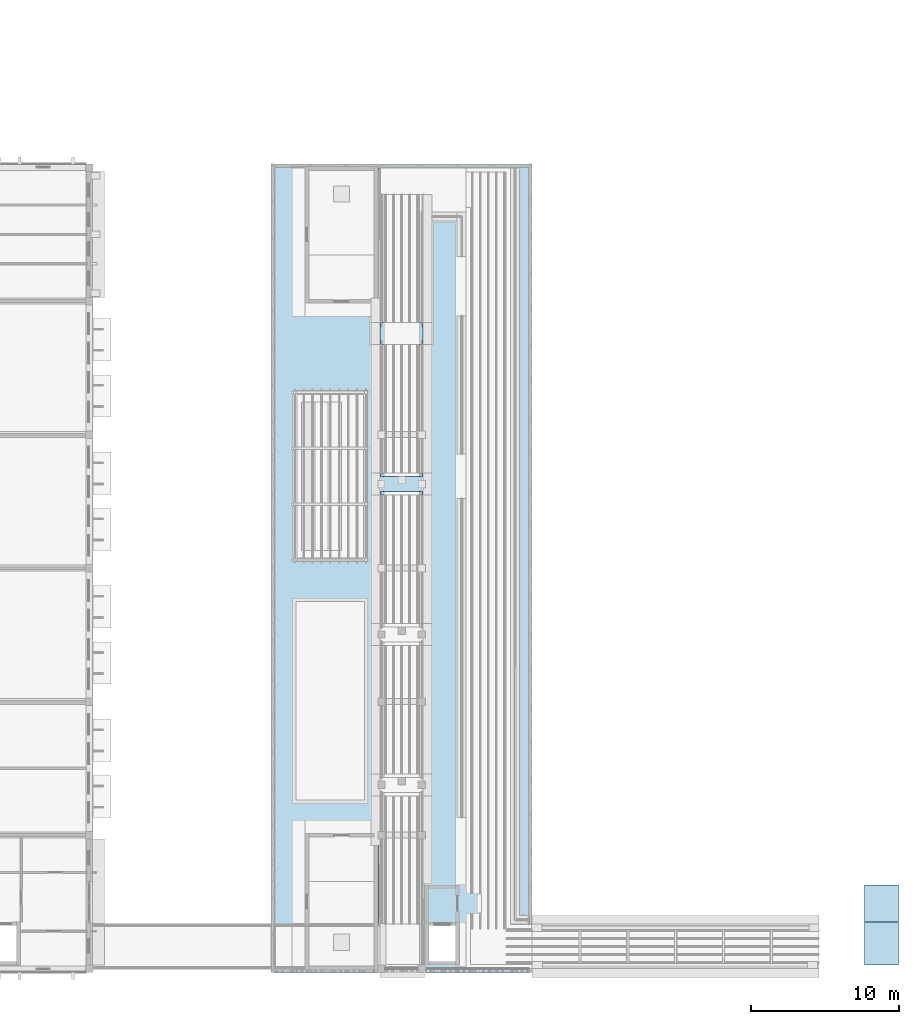
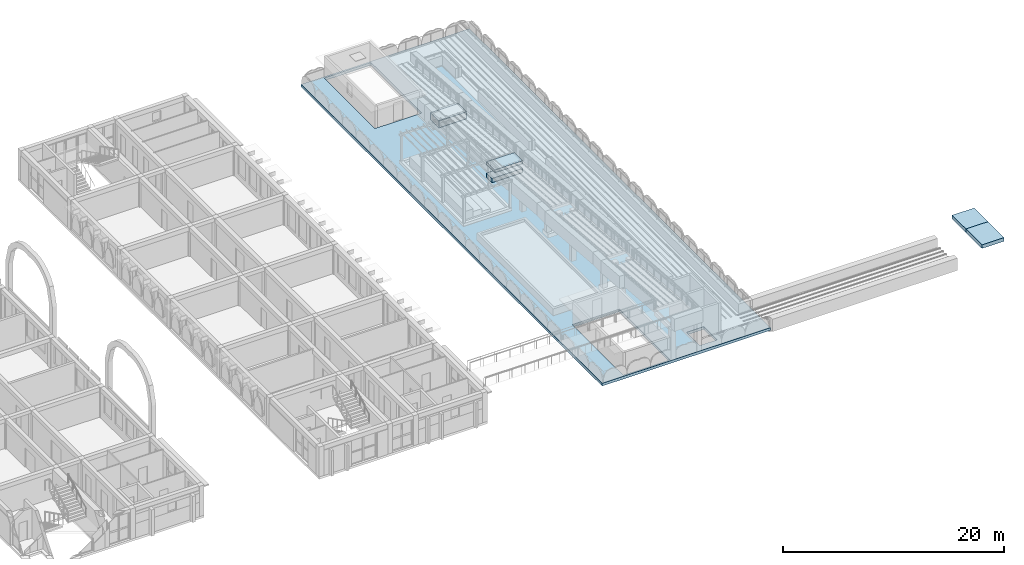
# One storey, part 33 of 65: 6 slabs, 1 element without a shape of its own.
"""IFC4 building model written with IfcOpenShell, lengths in metres."""

import ifcopenshell
import ifcopenshell.guid

model = None  # the IFC model being written
_history = None  # IfcOwnerHistory: only IFC2X3 demands one
_inside = {}  # id of a spatial element -> (the spatial element, [elements in it])
_under = {}  # id of a project, library or spatial element -> (it, [spatial elements below it])
_declared = {}  # id of a project -> (the project, [libraries it declares])
_typed = {}  # id of a type object -> (the type object, [elements of that type])
_made_of = {}  # id of a material, layer set ... -> (it, [elements and type objects made of it])


def new_model(schema):
    """Start an empty IFC model of exactly this schema.

    Asked for "IFC4X3", IfcOpenShell would pick the latest addendum, in which some entities
    have other attributes; the version numbers below select the first issue.
    IFC2X3 requires an IfcOwnerHistory on every rooted entity: one is made here for all.
    """
    global model, _history
    if schema == "IFC4X3":
        model = ifcopenshell.file(schema_version=(4, 3, 0, 0))
    else:
        model = ifcopenshell.file(schema=schema)
    _inside.clear()
    _under.clear()
    _declared.clear()
    _typed.clear()
    _made_of.clear()
    _history = None
    if model.schema == "IFC2X3":
        org = make("IfcOrganization", Name="unknown")
        user = make(
            "IfcPersonAndOrganization",
            ThePerson=make("IfcPerson", FamilyName="unknown"),
            TheOrganization=org,
        )
        app = make(
            "IfcApplication",
            ApplicationDeveloper=org,
            Version="unknown",
            ApplicationFullName="unknown",
            ApplicationIdentifier="unknown",
        )
        _history = make(
            "IfcOwnerHistory",
            OwningUser=user,
            OwningApplication=app,
            ChangeAction="ADDED",
            CreationDate=0,
        )
    return model


def make(cls, **values):
    """One entity of the class cls with the attributes given. An attribute that is None is left unset."""
    return model.create_entity(
        cls, **{name: value for name, value in values.items() if value is not None}
    )


def rooted(cls, **values):
    """An entity with a GlobalId (a new one), such as an element, a storey or a relation."""
    return make(cls, GlobalId=ifcopenshell.guid.new(), OwnerHistory=_history, **values)


def si_unit(unit_type, name, prefix=None):
    """IfcSIUnit, for example si_unit("LENGTHUNIT", "METRE", prefix="MILLI")."""
    return make("IfcSIUnit", UnitType=unit_type, Prefix=prefix, Name=name)


def assignment(units):
    """IfcUnitAssignment: the units of a project."""
    return None if units is None else make("IfcUnitAssignment", Units=units)


def point(xyz):
    """IfcCartesianPoint."""
    return None if xyz is None else make("IfcCartesianPoint", Coordinates=xyz)


def direction(xyz):
    """IfcDirection."""
    return None if xyz is None else make("IfcDirection", DirectionRatios=xyz)


def frame(location, z_axis=None, x_axis=None):
    """IfcAxis2Placement3D, a coordinate frame: its origin and axes. An axis left out is left unset."""
    return make(
        "IfcAxis2Placement3D",
        Location=point(location),
        Axis=direction(z_axis),
        RefDirection=direction(x_axis),
    )


def origin():
    """The frame at (0, 0, 0) with its axes left unset."""
    return frame((0.0, 0.0, 0.0))


def place(relative_to, where):
    """IfcLocalPlacement: puts the frame where relative to a parent placement (None: the world)."""
    return make(
        "IfcLocalPlacement", PlacementRelTo=relative_to, RelativePlacement=where
    )


def context(
    kind, dimensions, precision=None, world=None, true_north=None, identifier=None
):
    """IfcGeometricRepresentationContext, for example the 3D "Model" context."""
    return make(
        "IfcGeometricRepresentationContext",
        ContextIdentifier=identifier,
        ContextType=kind,
        CoordinateSpaceDimension=dimensions,
        Precision=precision,
        WorldCoordinateSystem=world,
        TrueNorth=true_north,
    )


def subcontext(parent, identifier, kind, view, scale=None):
    """IfcGeometricRepresentationSubContext, for example "Body" below "Model"."""
    return make(
        "IfcGeometricRepresentationSubContext",
        ContextIdentifier=identifier,
        ContextType=kind,
        ParentContext=parent,
        TargetScale=scale,
        TargetView=view,
    )


def project(units=None, contexts=None):
    """IfcProject with its units and contexts."""
    return rooted(
        "IfcProject",
        Name="project",
        RepresentationContexts=contexts,
        UnitsInContext=assignment(units),
    )


def spatial(cls, under=None, at=None, **own):
    """A site, building, storey or space (cls), placed at a placement, below another one or the project."""
    s = rooted(cls, ObjectPlacement=at, **own)
    if under is not None:
        _under.setdefault(under.id(), (under, []))[1].append(s)
    return s


def polyline(points):
    """IfcPolyline through the points."""
    return make("IfcPolyline", Points=[point(p) for p in points])


def outline(outer, holes=None, kind="AREA"):
    """IfcArbitraryClosedProfileDef: a profile drawn as a closed curve; with holes, ...WithVoids."""
    if holes is None:
        return make("IfcArbitraryClosedProfileDef", ProfileType=kind, OuterCurve=outer)
    return make(
        "IfcArbitraryProfileDefWithVoids",
        ProfileType=kind,
        OuterCurve=outer,
        InnerCurves=holes,
    )


def extrude(swept, where, along, depth):
    """IfcExtrudedAreaSolid: the profile swept, set in the frame where, extruded along a direction by depth."""
    return make(
        "IfcExtrudedAreaSolid",
        SweptArea=swept,
        Position=where,
        ExtrudedDirection=direction(along),
        Depth=depth,
    )


def shape(context_of_items, identifier, shape_type, items):
    """IfcShapeRepresentation: the items that make up one representation, for example the "Body"."""
    return make(
        "IfcShapeRepresentation",
        ContextOfItems=context_of_items,
        RepresentationIdentifier=identifier,
        RepresentationType=shape_type,
        Items=items,
    )


def material(Name=None, Category=None):
    """IfcMaterial."""
    return make("IfcMaterial", Name=Name, Category=Category)


def layer(
    of_material, thickness, ventilated=None, Name=None, Category=None, Priority=None
):
    """IfcMaterialLayer: one layer of a wall or slab, of a material (None: an air gap)."""
    return make(
        "IfcMaterialLayer",
        Material=of_material,
        LayerThickness=thickness,
        IsVentilated=ventilated,
        Name=Name,
        Category=Category,
        Priority=Priority,
    )


def layer_set(layers, Name=None):
    """IfcMaterialLayerSet."""
    return make("IfcMaterialLayerSet", MaterialLayers=layers, LayerSetName=Name)


def made_of(thing, what):
    """Note that an element or type object is made of a material, layer set ...; save() writes the relation."""
    if what is not None:
        _made_of.setdefault(what.id(), (what, []))[1].append(thing)
    return thing


def type_object(cls, material=None, **own):
    """A type object (cls), such as IfcWallType, which elements share."""
    return made_of(rooted(cls, **own), material)


def element(
    cls,
    number,
    at=None,
    inside=None,
    cuts=None,
    type_object=None,
    material=None,
    context=None,
    identifier="Body",
    shape_type=None,
    held_by="IfcProductDefinitionShape",
    body=None,
    shapes=None,
    **own,
):
    """One element of the class cls, such as IfcWall. Its Tag is "e" and its number.

    at: its placement. inside: the storey or other place that contains it. cuts: it is an
    opening in that element (IfcRelVoidsElement). A single representation is given by context,
    identifier, shape_type and body (its items); several are given by shapes. held_by: the class
    of the entity that holds the representations. save() writes the other relations.
    """
    e = rooted(cls, Tag="e%d" % number, ObjectPlacement=at, **own)
    if body is not None:
        shapes = [shape(context, identifier, shape_type, body)]
    if shapes is not None:
        e.Representation = make(held_by, Representations=shapes)
    if inside is not None:
        _inside.setdefault(inside.id(), (inside, []))[1].append(e)
    if cuts is not None:
        rooted(
            "IfcRelVoidsElement", RelatingBuildingElement=cuts, RelatedOpeningElement=e
        )
    if type_object is not None:
        _typed.setdefault(type_object.id(), (type_object, []))[1].append(e)
    return made_of(e, material)


def aggregate(whole, parts):
    """IfcRelAggregates: a whole, such as a stair, and the parts it consists of."""
    return rooted("IfcRelAggregates", RelatingObject=whole, RelatedObjects=parts)


def save(model, path):
    """Write the relations noted so far, then the file.

    IfcRelAggregates (storeys below a building ...), IfcRelContainedInSpatialStructure (elements
    in a storey), IfcRelDefinesByType, IfcRelAssociatesMaterial and IfcRelDeclares: one each for
    every whole, place, type object, material and project.
    """
    for whole, parts in _under.values():
        aggregate(whole, parts)
    for where, things in _inside.values():
        rooted(
            "IfcRelContainedInSpatialStructure",
            RelatedElements=things,
            RelatingStructure=where,
        )
    for kind, things in _typed.values():
        rooted("IfcRelDefinesByType", RelatedObjects=things, RelatingType=kind)
    for what, things in _made_of.values():
        rooted("IfcRelAssociatesMaterial", RelatedObjects=things, RelatingMaterial=what)
    for by, libraries in _declared.values():
        rooted("IfcRelDeclares", RelatingContext=by, RelatedDefinitions=libraries)
    model.write(path)


model = new_model("IFC4")

# Units and contexts
model_context = context("Model", 3, precision=1e-05, world=origin(), true_north=direction((0.0, 1.0)))
body_context = subcontext(model_context, "Body", "Model", "MODEL_VIEW")
ifc_project = project(units=[si_unit("LENGTHUNIT", "METRE"), si_unit("AREAUNIT", "SQUARE_METRE"), si_unit("VOLUMEUNIT", "CUBIC_METRE"), si_unit("PLANEANGLEUNIT", "RADIAN"), si_unit("MASSUNIT", "GRAM", prefix="KILO")], contexts=[model_context])

# Site, building, storey
site_placement = place(None, origin())
site = spatial("IfcSite", under=ifc_project, at=site_placement, CompositionType="ELEMENT")
building_placement = place(site_placement, origin())
building = spatial("IfcBuilding", under=site, at=building_placement, Name="Elbe Cascade School", CompositionType="ELEMENT")
storey_placement = place(building_placement, frame((0.0, 0.0, 11.699951171875)))
storey = spatial("IfcBuildingStorey", under=building, at=storey_placement, Name="L03", CompositionType="ELEMENT", Elevation=11.699951171875)

# Slabs
ifc_material_1 = material(Name="Concrete C30/37", Category="concrete")
ifc_layer_1 = layer(ifc_material_1, 0.39990234375)
ifc_layer_set_1 = layer_set([ifc_layer_1], Name="Concrete C30/37")
slab_type_1 = type_object("IfcSlabType", Name="Lift machine roof slab 400", PredefinedType="ROOF", material=ifc_layer_set_1)
slab_1_placement = place(storey_placement, frame((0.0, 0.0, 0.60009765625)))
element("IfcSlab", 1, at=slab_1_placement, inside=storey, type_object=slab_type_1, Name="Lift machine roof slab 400 S6", PredefinedType="ROOF", context=body_context, shape_type="SweptSolid", body=[
    extrude(outline(polyline([(167.949951171875, 6.25), (170.25, 6.25), (170.25, 9.14990234375), (167.949951171875, 9.14990234375), (167.949951171875, 6.25)])), origin(), (0.0, 0.0, 1.0), 0.39990234375),
])
slab_2_placement = place(storey_placement, frame((0.0, 0.0, 0.60009765625)))
element("IfcSlab", 2, at=slab_2_placement, inside=storey, type_object=slab_type_1, Name="Lift machine roof slab 400 S6", PredefinedType="ROOF", context=body_context, shape_type="SweptSolid", body=[
    extrude(outline(polyline([(167.949951171875, 9.14990234375), (170.25, 9.14990234375), (170.25, 11.64990234375), (167.949951171875, 11.64990234375), (167.949951171875, 9.14990234375)])), origin(), (0.0, 0.0, 1.0), 0.39990234375),
])
ifc_material_2 = material(Name="Concrete C30/37", Category="concrete")
ifc_layer_2 = layer(ifc_material_2, 0.449951171875)
ifc_layer_set_2 = layer_set([ifc_layer_2], Name="Concrete C30/37")
slab_type_2 = type_object("IfcSlabType", Name="RC roof plinth 450", PredefinedType="FLOOR", material=ifc_layer_set_2)
slab_3_placement = place(storey_placement, origin())
element("IfcSlab", 3, at=slab_3_placement, inside=storey, type_object=slab_type_2, Name="Roof ramp C plinth 3", PredefinedType="FLOOR", context=body_context, shape_type="SweptSolid", body=[
    extrude(outline(polyline([(135.14990234375, 38.169921875), (138.35009765625, 38.169921875), (138.35009765625, 39.169921875), (135.14990234375, 39.169921875), (135.14990234375, 38.169921875)])), origin(), (0.0, 0.0, 1.0), 0.449951171875),
])
ifc_material_3 = material(Name="Concrete C30/37", Category="concrete")
ifc_layer_3 = layer(ifc_material_3, 0.300048828125)
ifc_layer_set_3 = layer_set([ifc_layer_3], Name="Concrete C30/37")
slab_type_3 = type_object("IfcSlabType", Name="Roof deck slab 300", PredefinedType="ROOF", material=ifc_layer_set_3)
slab_4_placement = place(storey_placement, frame((0.0, 0.0, -0.300048828125)))
element("IfcSlab", 4, at=slab_4_placement, inside=storey, type_object=slab_type_3, Name="Roof deck slab 300 S3", PredefinedType="ROOF", context=body_context, shape_type="SweptSolid", body=[
    extrude(outline(polyline([(127.949951171875, 5.75), (145.550048828125, 5.75), (145.550048828125, 60.25), (127.949951171875, 60.25), (127.949951171875, 5.75)]), holes=[polyline([(130.25, 5.929931640625), (135.14990234375, 5.929931640625), (135.14990234375, 15.125), (130.25, 15.125), (130.25, 5.929931640625)]), polyline([(138.60009765625, 6.5), (140.39990234375, 6.5), (140.39990234375, 8.89990234375), (138.60009765625, 8.89990234375), (138.60009765625, 6.5)]), polyline([(130.25, 50.875), (135.14990234375, 50.875), (135.14990234375, 60.070068359375), (130.25, 60.070068359375), (130.25, 50.875)])]), origin(), (0.0, 0.0, 1.0), 0.300048828125),
])

# Ramp, slabs
ifc_material_4 = material(Name="Concrete C30/37", Category="concrete")
ramp_type = type_object("IfcRampType", Name="Roof ramp", PredefinedType="STRAIGHT_RUN_RAMP", material=ifc_material_4)
ramp_placement = place(storey_placement, origin())
ramp = element("IfcRamp", 5, at=ramp_placement, inside=storey, type_object=ramp_type, Name="Roof ramp C", PredefinedType="STRAIGHT_RUN_RAMP")
ifc_material_5 = material(Name="Concrete C30/37", Category="concrete")
ifc_layer_4 = layer(ifc_material_5, 0.300048828125)
ifc_layer_set_4 = layer_set([ifc_layer_4], Name="Concrete C30/37")
slab_type_4 = type_object("IfcSlabType", Name="Roof ramp landing 300", PredefinedType="LANDING", material=ifc_layer_set_4)
slab_5_placement = place(storey_placement, frame((0.0, 0.0, 1.199951171875)))
slab_5 = element("IfcSlab", 6, at=slab_5_placement, type_object=slab_type_4, Name="Roof ramp C landing 4", PredefinedType="LANDING", context=body_context, shape_type="SweptSolid", body=[
    extrude(outline(polyline([(138.199951171875, 37.919921875), (138.199951171875, 39.419921875), (135.300048828125, 39.419921875), (135.300048828125, 37.919921875), (138.199951171875, 37.919921875)])), origin(), (0.0, 0.0, 1.0), 0.300048828125),
])
ifc_material_6 = material(Name="Concrete C30/37", Category="concrete")
ifc_layer_5 = layer(ifc_material_6, 0.780029296875)
ifc_layer_set_5 = layer_set([ifc_layer_5], Name="Concrete C30/37")
slab_type_5 = type_object("IfcSlabType", Name="Roof ramp landing on deck 780", PredefinedType="LANDING", material=ifc_layer_set_5)
slab_6_placement = place(storey_placement, origin())
slab_6 = element("IfcSlab", 7, at=slab_6_placement, type_object=slab_type_5, Name="Roof ramp C landing 5", PredefinedType="LANDING", context=body_context, shape_type="SweptSolid", body=[
    extrude(outline(polyline([(138.199951171875, 48.06005859375), (138.199951171875, 49.56005859375), (135.300048828125, 49.56005859375), (135.300048828125, 48.06005859375), (138.199951171875, 48.06005859375)])), origin(), (0.0, 0.0, 1.0), 0.780029296875),
])
aggregate(ramp, [slab_5, slab_6])

save(model, "model.ifc")
